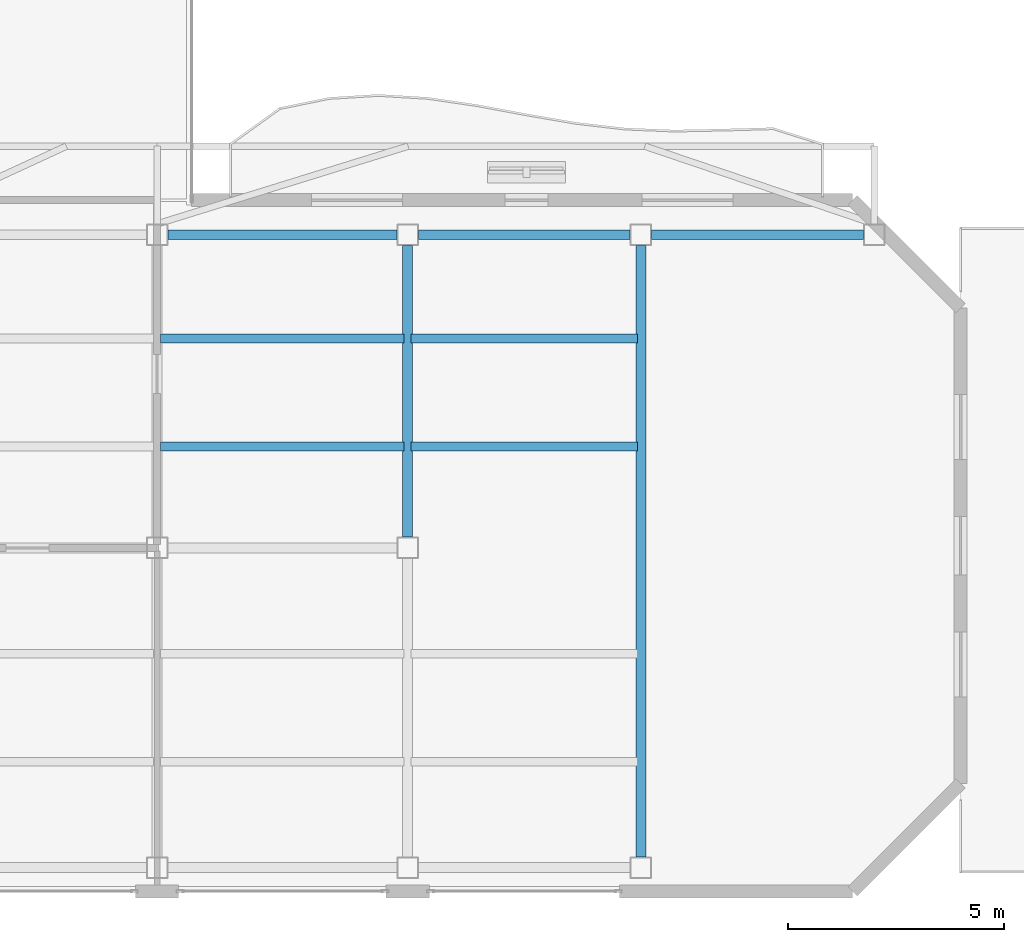
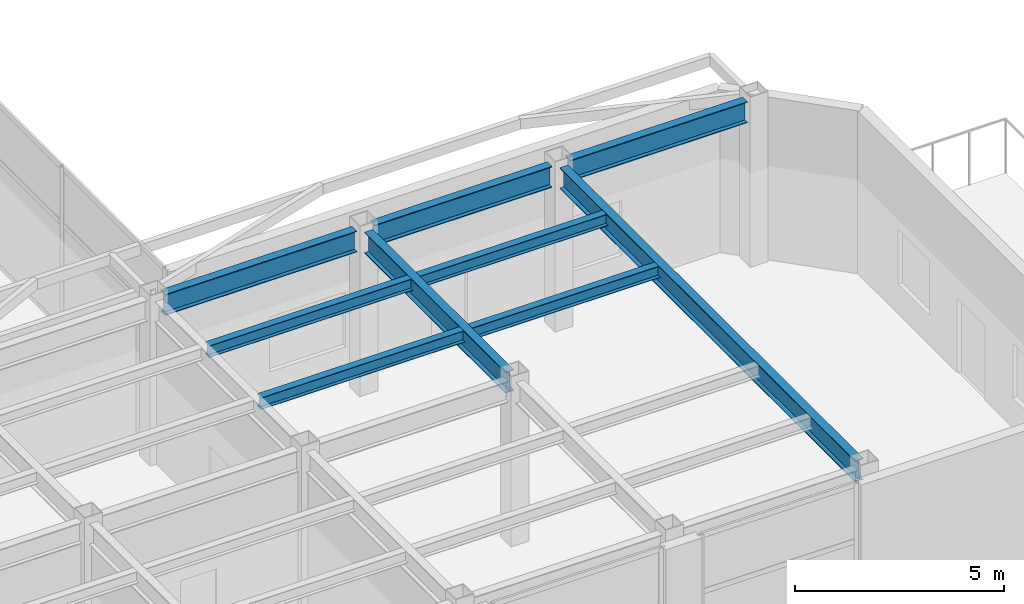
# One storey, part 9 of 23: 9 beams.
"""IFC4 building model written with IfcOpenShell, lengths in metres."""

from ifc_helpers import new_model, si_unit, direction, frame, origin, origin_2d, place, context, subcontext, project, spatial, i_section, extrude, material, material_profile, profile_set, type_object, element, save


model = new_model("IFC4")

# Units and contexts
model_context = context("Model", 3, precision=1e-05, world=origin(), true_north=direction((0.0, 1.0)))
body_context = subcontext(model_context, "Body", "Model", "MODEL_VIEW")
ifc_project = project(units=[si_unit("LENGTHUNIT", "METRE"), si_unit("AREAUNIT", "SQUARE_METRE"), si_unit("VOLUMEUNIT", "CUBIC_METRE"), si_unit("PLANEANGLEUNIT", "RADIAN"), si_unit("MASSUNIT", "GRAM", prefix="KILO")], contexts=[model_context])

# Site, building, storey
site_placement = place(None, origin())
site = spatial("IfcSite", under=ifc_project, at=site_placement, CompositionType="ELEMENT")
building_placement = place(site_placement, origin())
building = spatial("IfcBuilding", under=site, at=building_placement, Name="Mawjaban Terraces University", CompositionType="ELEMENT")
storey_placement = place(building_placement, frame((0.0, 0.0, 98.39990234375)))
storey = spatial("IfcBuildingStorey", under=building, at=storey_placement, Name="L23", CompositionType="ELEMENT", Elevation=98.39990234375)

# Beams
ifc_material = material(Name="Steel ASTM A572 Grade 50", Category="steel")
ifc_material_profile_1 = material_profile(ifc_material, i_section(OverallWidth=0.22998046875, OverallDepth=0.616943359375, WebThickness=0.01318359375, FlangeThickness=0.022216796875, at=origin_2d()), Name="W610X140")
ifc_profile_set_1 = profile_set([ifc_material_profile_1], Name="Steel ASTM A572 Grade 50")
beam_type_1 = type_object("IfcBeamType", Name="Beam_B_W610X140", PredefinedType="BEAM", material=ifc_profile_set_1)
beam_1_placement = place(storey_placement, frame((52.25, 15.199951171875, 4.482177734375), z_axis=(1.0, 0.0, 0.0), x_axis=(0.0, 1.0, 0.0)))
element("IfcBeam", 1, at=beam_1_placement, inside=storey, type_object=beam_type_1, Name="L23 Beam BM-L23-EW-09", PredefinedType="BEAM", context=body_context, shape_type="SweptSolid", body=[
    extrude(i_section(OverallWidth=0.22998046875, OverallDepth=0.616943359375, WebThickness=0.01318359375, FlangeThickness=0.022216796875, at=origin_2d()), origin(), (0.0, 0.0, 1.0), 5.300048828125),
])
beam_2_placement = place(storey_placement, frame((58.050048828125, 15.199951171875, 4.482177734375), z_axis=(1.0, 0.0, 0.0), x_axis=(0.0, 1.0, 0.0)))
element("IfcBeam", 2, at=beam_2_placement, inside=storey, type_object=beam_type_1, Name="L23 Beam BM-L23-EW-10", PredefinedType="BEAM", context=body_context, shape_type="SweptSolid", body=[
    extrude(i_section(OverallWidth=0.22998046875, OverallDepth=0.616943359375, WebThickness=0.01318359375, FlangeThickness=0.022216796875, at=origin_2d()), origin(), (0.0, 0.0, 1.0), 4.89990234375),
])
beam_3_placement = place(storey_placement, frame((63.449951171875, 15.199951171875, 4.482177734375), z_axis=(1.0, 0.0, 0.0), x_axis=(0.0, 1.0, 0.0)))
element("IfcBeam", 3, at=beam_3_placement, inside=storey, type_object=beam_type_1, Name="L23 Beam BM-L23-EW-11", PredefinedType="BEAM", context=body_context, shape_type="SweptSolid", body=[
    extrude(i_section(OverallWidth=0.22998046875, OverallDepth=0.616943359375, WebThickness=0.01318359375, FlangeThickness=0.022216796875, at=origin_2d()), origin(), (0.0, 0.0, 1.0), 4.900146484375),
])
beam_4_placement = place(storey_placement, frame((57.800048828125, 8.199951171875, 4.482177734375), z_axis=(0.0, 1.0, 0.0), x_axis=(-1.0, 0.0, 0.0)))
element("IfcBeam", 4, at=beam_4_placement, inside=storey, type_object=beam_type_1, Name="L23 Beam BM-L23-NS-17", PredefinedType="BEAM", context=body_context, shape_type="SweptSolid", body=[
    extrude(i_section(OverallWidth=0.22998046875, OverallDepth=0.616943359375, WebThickness=0.01318359375, FlangeThickness=0.022216796875, at=origin_2d()), origin(), (0.0, 0.0, 1.0), 6.75),
])
beam_5_placement = place(storey_placement, frame((63.199951171875, 0.800048828125, 4.482177734375), z_axis=(0.0, 1.0, 0.0), x_axis=(-1.0, 0.0, 0.0)))
element("IfcBeam", 5, at=beam_5_placement, inside=storey, type_object=beam_type_1, Name="L23 Beam BM-L23-NS-18", PredefinedType="BEAM", context=body_context, shape_type="SweptSolid", body=[
    extrude(i_section(OverallWidth=0.22998046875, OverallDepth=0.616943359375, WebThickness=0.01318359375, FlangeThickness=0.022216796875, at=origin_2d()), origin(), (0.0, 0.0, 1.0), 14.14990234375),
])
ifc_material_profile_2 = material_profile(ifc_material, i_section(OverallWidth=0.202880859375, OverallDepth=0.346923828125, WebThickness=0.0078125, FlangeThickness=0.013427734375, at=origin_2d()), Name="W360X64")
ifc_profile_set_2 = profile_set([ifc_material_profile_2], Name="Steel ASTM A572 Grade 50")
beam_type_2 = type_object("IfcBeamType", Name="Beam_J_W360X64", PredefinedType="JOIST", material=ifc_profile_set_2)
beam_6_placement = place(storey_placement, frame((52.080078125, 10.300048828125, 4.6162109375), z_axis=(1.0, 0.0, 0.0), x_axis=(0.0, 1.0, 0.0)))
element("IfcBeam", 6, at=beam_6_placement, inside=storey, type_object=beam_type_2, Name="L23 Composite Joist JST-L23-11", PredefinedType="JOIST", context=body_context, shape_type="SweptSolid", body=[
    extrude(i_section(OverallWidth=0.202880859375, OverallDepth=0.346923828125, WebThickness=0.0078125, FlangeThickness=0.013427734375, at=origin_2d()), origin(), (0.0, 0.0, 1.0), 5.639892578125),
])
beam_7_placement = place(storey_placement, frame((57.8798828125, 10.300048828125, 4.6162109375), z_axis=(1.0, 0.0, 0.0), x_axis=(0.0, 1.0, 0.0)))
element("IfcBeam", 7, at=beam_7_placement, inside=storey, type_object=beam_type_2, Name="L23 Composite Joist JST-L23-12", PredefinedType="JOIST", context=body_context, shape_type="SweptSolid", body=[
    extrude(i_section(OverallWidth=0.202880859375, OverallDepth=0.346923828125, WebThickness=0.0078125, FlangeThickness=0.013427734375, at=origin_2d()), origin(), (0.0, 0.0, 1.0), 5.240234375),
])
beam_8_placement = place(storey_placement, frame((52.080078125, 12.800048828125, 4.6162109375), z_axis=(1.0, 0.0, 0.0), x_axis=(0.0, 1.0, 0.0)))
element("IfcBeam", 8, at=beam_8_placement, inside=storey, type_object=beam_type_2, Name="L23 Composite Joist JST-L23-15", PredefinedType="JOIST", context=body_context, shape_type="SweptSolid", body=[
    extrude(i_section(OverallWidth=0.202880859375, OverallDepth=0.346923828125, WebThickness=0.0078125, FlangeThickness=0.013427734375, at=origin_2d()), origin(), (0.0, 0.0, 1.0), 5.639892578125),
])
beam_9_placement = place(storey_placement, frame((57.8798828125, 12.800048828125, 4.6162109375), z_axis=(1.0, 0.0, 0.0), x_axis=(0.0, 1.0, 0.0)))
element("IfcBeam", 9, at=beam_9_placement, inside=storey, type_object=beam_type_2, Name="L23 Composite Joist JST-L23-16", PredefinedType="JOIST", context=body_context, shape_type="SweptSolid", body=[
    extrude(i_section(OverallWidth=0.202880859375, OverallDepth=0.346923828125, WebThickness=0.0078125, FlangeThickness=0.013427734375, at=origin_2d()), origin(), (0.0, 0.0, 1.0), 5.240234375),
])

save(model, "model.ifc")
